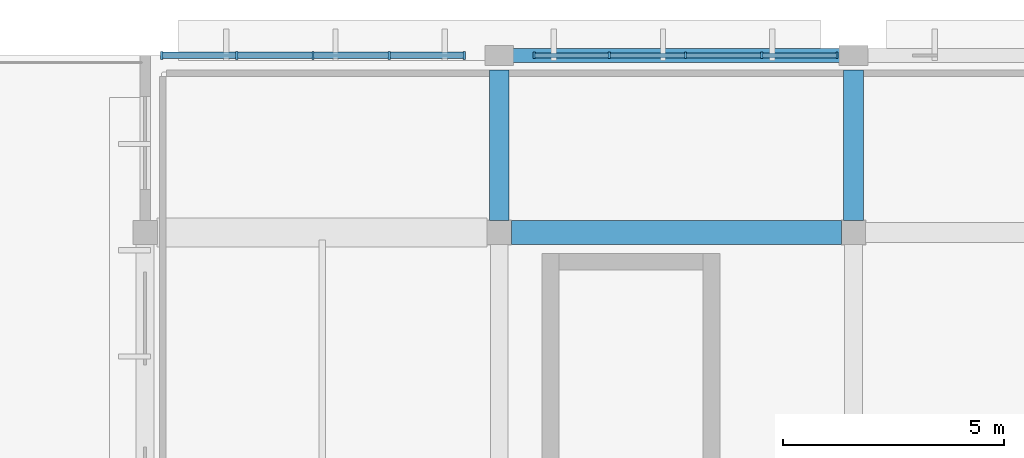
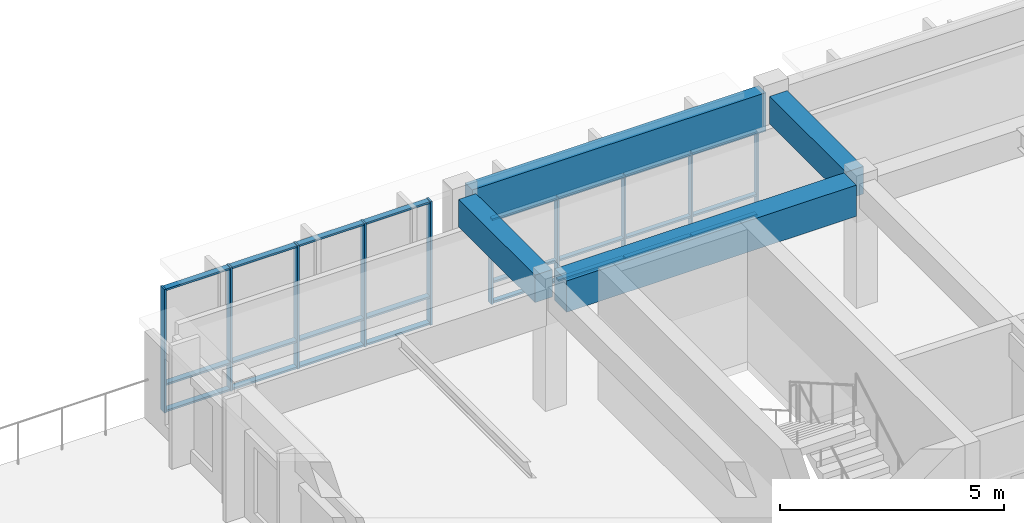
# One storey, part 18 of 155: 34 members, 4 beams, 2 elements without a shape of their own.
"""IFC4 building model written with IfcOpenShell, lengths in metres."""

from ifc_helpers import new_model, si_unit, direction, frame, origin, origin_2d, place, context, subcontext, project, spatial, rectangle, extrude, material, material_profile, profile_set, type_object, element, aggregate, save


model = new_model("IFC4")

# Units and contexts
model_context = context("Model", 3, precision=1e-05, world=origin(), true_north=direction((0.0, 1.0)))
body_context = subcontext(model_context, "Body", "Model", "MODEL_VIEW")
ifc_project = project(units=[si_unit("LENGTHUNIT", "METRE"), si_unit("AREAUNIT", "SQUARE_METRE"), si_unit("VOLUMEUNIT", "CUBIC_METRE"), si_unit("PLANEANGLEUNIT", "RADIAN"), si_unit("MASSUNIT", "GRAM", prefix="KILO")], contexts=[model_context])

# Site, building, storey
site_placement = place(None, origin())
site = spatial("IfcSite", under=ifc_project, at=site_placement, CompositionType="ELEMENT")
building_placement = place(site_placement, origin())
building = spatial("IfcBuilding", under=site, at=building_placement, Name="Larkveld Mobility Hub", CompositionType="ELEMENT")
storey_placement = place(building_placement, frame((0.0, 0.0, 8.39990234375)))
storey = spatial("IfcBuildingStorey", under=building, at=storey_placement, Name="L02", CompositionType="ELEMENT", Elevation=8.39990234375)

# Beams
ifc_material_1 = material(Name="Concrete C40/50", Category="concrete")
ifc_material_profile_1 = material_profile(ifc_material_1, rectangle(XDim=0.449951171875, YDim=0.75, at=origin_2d()), Name="RC BM 450x750")
ifc_profile_set_1 = profile_set([ifc_material_profile_1], Name="Concrete C40/50")
beam_type_1 = type_object("IfcBeamType", Name="BM-RC4575", PredefinedType="BEAM", material=ifc_profile_set_1)
for number, where, z_axis, x_axis, name in (
    (1, (24.0, 122.27490234375, 2.985107421875), (0.0, 1.0, 0.0), (-1.0, 0.0, 0.0), "Primary N-S Girder L02-0592"),
    (2, (32.0, 122.27490234375, 2.985107421875), (0.0, 1.0, 0.0), (-1.0, 0.0, 0.0), "Primary N-S Girder L02-0594"),
):
    element("IfcBeam", number, at=place(storey_placement, frame(where, z_axis=z_axis, x_axis=x_axis)), inside=storey, type_object=beam_type_1, Name=name, PredefinedType="BEAM", context=body_context, shape_type="SweptSolid", body=[
        extrude(rectangle(XDim=0.449951171875, YDim=0.75, at=origin_2d()), origin(), (0.0, 0.0, 1.0), 3.400146484375),
    ])
ifc_material_profile_2 = material_profile(ifc_material_1, rectangle(XDim=0.550048828125, YDim=0.85009765625, at=origin_2d()), Name="RC BM 550x850")
ifc_profile_set_2 = profile_set([ifc_material_profile_2], Name="Concrete C40/50")
beam_type_2 = type_object("IfcBeamType", Name="BM-RC5585", PredefinedType="BEAM", material=ifc_profile_set_2)
beam_1_placement = place(storey_placement, frame((24.27490234375, 122.0, 2.93505859375), z_axis=(1.0, 0.0, 0.0), x_axis=(0.0, 1.0, 0.0)))
element("IfcBeam", 3, at=beam_1_placement, inside=storey, type_object=beam_type_2, Name="Primary E-W Girder L02-0571", PredefinedType="BEAM", context=body_context, shape_type="SweptSolid", body=[
    extrude(rectangle(XDim=0.550048828125, YDim=0.85009765625, at=origin_2d()), origin(), (0.0, 0.0, 1.0), 7.4501953125),
])
ifc_material_2 = material(Name="Precast concrete C50/60", Category="concrete")
ifc_material_profile_3 = material_profile(ifc_material_2, rectangle(XDim=0.320068359375, YDim=1.050048828125, at=origin_2d()), Name="PC SP 320x1050")
ifc_profile_set_3 = profile_set([ifc_material_profile_3], Name="Precast concrete C50/60")
beam_type_3 = type_object("IfcBeamType", Name="BM-SP32105", PredefinedType="SPANDREL", material=ifc_profile_set_3)
beam_2_placement = place(storey_placement, frame((24.22509765625, 126.0, 2.835205078125), z_axis=(1.0, 0.0, 0.0), x_axis=(0.0, 1.0, 0.0)))
element("IfcBeam", 4, at=beam_2_placement, inside=storey, type_object=beam_type_3, Name="Primary E-W Girder L02-0580", PredefinedType="SPANDREL", context=body_context, shape_type="SweptSolid", body=[
    extrude(rectangle(XDim=0.320068359375, YDim=1.050048828125, at=origin_2d()), origin(), (0.0, 0.0, 1.0), 7.5498046875),
])

# Curtain wall, members
ifc_material_3 = material(Name="Anodised aluminium 6063-T6", Category="aluminium")
curtain_wall_type_1 = type_object("IfcCurtainWallType", Name="CW-SYS-09", PredefinedType="NOTDEFINED", material=ifc_material_3)
curtain_wall_1_placement = place(storey_placement, origin())
curtain_wall_1 = element("IfcCurtainWall", 5, at=curtain_wall_1_placement, inside=storey, type_object=curtain_wall_type_1, Name="Bicycle Hall North Curtain Wall L02 CW-081", PredefinedType="NOTDEFINED")
ifc_material_profile_4 = material_profile(ifc_material_3, rectangle(XDim=0.050048828125, YDim=0.14990234375, at=origin_2d()), Name="ALU MULL 50x150")
ifc_profile_set_4 = profile_set([ifc_material_profile_4], Name="Anodised aluminium 6063-T6")
member_type_1 = type_object("IfcMemberType", Name="CW-MUL-01", PredefinedType="MULLION", material=ifc_profile_set_4)
member_1_placement = place(storey_placement, frame((31.625, 126.0, -0.001953125), z_axis=(0.0, 0.0, 1.0), x_axis=(-1.0, 0.0, 0.0)))
member_1 = element("IfcMember", 6, at=member_1_placement, type_object=member_type_1, Name="CW09 mullion 1", PredefinedType="MULLION", context=body_context, shape_type="SweptSolid", body=[
    extrude(rectangle(XDim=0.050048828125, YDim=0.14990234375, at=origin_2d()), origin(), (0.0, 0.0, 1.0), 2.31201171875),
])
member_2_placement = place(storey_placement, frame((29.928955078125, 126.0, -0.001953125), z_axis=(0.0, 0.0, 1.0), x_axis=(-1.0, 0.0, 0.0)))
member_2 = element("IfcMember", 7, at=member_2_placement, type_object=member_type_1, Name="CW09 mullion 2", PredefinedType="MULLION", context=body_context, shape_type="SweptSolid", body=[
    extrude(rectangle(XDim=0.050048828125, YDim=0.14990234375, at=origin_2d()), origin(), (0.0, 0.0, 1.0), 2.31201171875),
])
member_3_placement = place(storey_placement, frame((28.20703125, 126.0, -0.001953125), z_axis=(0.0, 0.0, 1.0), x_axis=(-1.0, 0.0, 0.0)))
member_3 = element("IfcMember", 8, at=member_3_placement, type_object=member_type_1, Name="CW09 mullion 3", PredefinedType="MULLION", context=body_context, shape_type="SweptSolid", body=[
    extrude(rectangle(XDim=0.050048828125, YDim=0.14990234375, at=origin_2d()), origin(), (0.0, 0.0, 1.0), 2.31201171875),
])
member_4_placement = place(storey_placement, frame((26.486083984375, 126.0, -0.001953125), z_axis=(0.0, 0.0, 1.0), x_axis=(-1.0, 0.0, 0.0)))
member_4 = element("IfcMember", 9, at=member_4_placement, type_object=member_type_1, Name="CW09 mullion 4", PredefinedType="MULLION", context=body_context, shape_type="SweptSolid", body=[
    extrude(rectangle(XDim=0.050048828125, YDim=0.14990234375, at=origin_2d()), origin(), (0.0, 0.0, 1.0), 2.31201171875),
])
member_5_placement = place(storey_placement, frame((24.7900390625, 126.0, -0.001953125), z_axis=(0.0, 0.0, 1.0), x_axis=(-1.0, 0.0, 0.0)))
member_5 = element("IfcMember", 10, at=member_5_placement, type_object=member_type_1, Name="CW09 mullion 5", PredefinedType="MULLION", context=body_context, shape_type="SweptSolid", body=[
    extrude(rectangle(XDim=0.050048828125, YDim=0.14990234375, at=origin_2d()), origin(), (0.0, 0.0, 1.0), 2.31201171875),
])

curtain_wall_type_2 = type_object("IfcCurtainWallType", Name="CW-SYS-10", PredefinedType="NOTDEFINED", material=ifc_material_3)
curtain_wall_2_placement = place(storey_placement, origin())
curtain_wall_2 = element("IfcCurtainWall", 11, at=curtain_wall_2_placement, inside=storey, type_object=curtain_wall_type_2, Name="Bicycle Hall North Curtain Wall L02 CW-082", PredefinedType="NOTDEFINED")
ifc_material_profile_5 = material_profile(ifc_material_3, rectangle(XDim=0.050048828125, YDim=0.179931640625, at=origin_2d()), Name="ALU MULL 50x180")
ifc_profile_set_5 = profile_set([ifc_material_profile_5], Name="Anodised aluminium 6063-T6")
member_type_2 = type_object("IfcMemberType", Name="CW-MUL-02", PredefinedType="MULLION", material=ifc_profile_set_5)
member_6_placement = place(storey_placement, frame((23.2099609375, 126.0, -0.001953125), z_axis=(0.0, 0.0, 1.0), x_axis=(-1.0, 0.0, 0.0)))
member_6 = element("IfcMember", 12, at=member_6_placement, type_object=member_type_2, Name="CW10 mullion 1", PredefinedType="MULLION", context=body_context, shape_type="SweptSolid", body=[
    extrude(rectangle(XDim=0.050048828125, YDim=0.179931640625, at=origin_2d()), origin(), (0.0, 0.0, 1.0), 3.362060546875),
])
member_7_placement = place(storey_placement, frame((21.513916015625, 126.0, -0.001953125), z_axis=(0.0, 0.0, 1.0), x_axis=(-1.0, 0.0, 0.0)))
member_7 = element("IfcMember", 13, at=member_7_placement, type_object=member_type_2, Name="CW10 mullion 2", PredefinedType="MULLION", context=body_context, shape_type="SweptSolid", body=[
    extrude(rectangle(XDim=0.050048828125, YDim=0.179931640625, at=origin_2d()), origin(), (0.0, 0.0, 1.0), 3.362060546875),
])
member_8_placement = place(storey_placement, frame((19.7919921875, 126.0, -0.001953125), z_axis=(0.0, 0.0, 1.0), x_axis=(-1.0, 0.0, 0.0)))
member_8 = element("IfcMember", 14, at=member_8_placement, type_object=member_type_2, Name="CW10 mullion 3", PredefinedType="MULLION", context=body_context, shape_type="SweptSolid", body=[
    extrude(rectangle(XDim=0.050048828125, YDim=0.179931640625, at=origin_2d()), origin(), (0.0, 0.0, 1.0), 3.362060546875),
])
member_9_placement = place(storey_placement, frame((18.071044921875, 126.0, -0.001953125), z_axis=(0.0, 0.0, 1.0), x_axis=(-1.0, 0.0, 0.0)))
member_9 = element("IfcMember", 15, at=member_9_placement, type_object=member_type_2, Name="CW10 mullion 4", PredefinedType="MULLION", context=body_context, shape_type="SweptSolid", body=[
    extrude(rectangle(XDim=0.050048828125, YDim=0.179931640625, at=origin_2d()), origin(), (0.0, 0.0, 1.0), 3.362060546875),
])
member_10_placement = place(storey_placement, frame((16.375, 126.0, -0.001953125), z_axis=(0.0, 0.0, 1.0), x_axis=(-1.0, 0.0, 0.0)))
member_10 = element("IfcMember", 16, at=member_10_placement, type_object=member_type_2, Name="CW10 mullion 5", PredefinedType="MULLION", context=body_context, shape_type="SweptSolid", body=[
    extrude(rectangle(XDim=0.050048828125, YDim=0.179931640625, at=origin_2d()), origin(), (0.0, 0.0, 1.0), 3.362060546875),
])

# Member
ifc_material_profile_6 = material_profile(ifc_material_3, rectangle(XDim=0.1201171875, YDim=0.050048828125, at=origin_2d()), Name="ALU TRAN 50x120")
ifc_profile_set_6 = profile_set([ifc_material_profile_6], Name="Anodised aluminium 6063-T6")
member_type_3 = type_object("IfcMemberType", Name="CW-TRN-01", PredefinedType="USERDEFINED", material=ifc_profile_set_6)
member_11_placement = place(storey_placement, frame((31.614990234375, 126.0, 0.030029296875), z_axis=(-1.0, 0.0, 0.0), x_axis=(0.0, -1.0, 0.0)))
member_11 = element("IfcMember", 17, at=member_11_placement, type_object=member_type_3, Name="CW09 transom 1.1", ObjectType="TRANSOM", PredefinedType="USERDEFINED", context=body_context, shape_type="SweptSolid", body=[
    extrude(rectangle(XDim=0.1201171875, YDim=0.050048828125, at=origin_2d()), origin(), (0.0, 0.0, 1.0), 1.6708984375),
])

member_12_placement = place(storey_placement, frame((31.614990234375, 126.0, 0.5771484375), z_axis=(-1.0, 0.0, 0.0), x_axis=(0.0, -1.0, 0.0)))
member_12 = element("IfcMember", 18, at=member_12_placement, type_object=member_type_3, Name="CW09 transom 1.2", ObjectType="TRANSOM", PredefinedType="USERDEFINED", context=body_context, shape_type="SweptSolid", body=[
    extrude(rectangle(XDim=0.1201171875, YDim=0.050048828125, at=origin_2d()), origin(), (0.0, 0.0, 1.0), 1.6708984375),
])

member_13_placement = place(storey_placement, frame((31.614990234375, 126.0, 2.278076171875), z_axis=(-1.0, 0.0, 0.0), x_axis=(0.0, -1.0, 0.0)))
member_13 = element("IfcMember", 19, at=member_13_placement, type_object=member_type_3, Name="CW09 transom 1.3", ObjectType="TRANSOM", PredefinedType="USERDEFINED", context=body_context, shape_type="SweptSolid", body=[
    extrude(rectangle(XDim=0.1201171875, YDim=0.050048828125, at=origin_2d()), origin(), (0.0, 0.0, 1.0), 1.6708984375),
])

member_14_placement = place(storey_placement, frame((29.9140625, 126.0, 0.030029296875), z_axis=(-1.0, 0.0, 0.0), x_axis=(0.0, -1.0, 0.0)))
member_14 = element("IfcMember", 20, at=member_14_placement, type_object=member_type_3, Name="CW09 transom 2.1", ObjectType="TRANSOM", PredefinedType="USERDEFINED", context=body_context, shape_type="SweptSolid", body=[
    extrude(rectangle(XDim=0.1201171875, YDim=0.050048828125, at=origin_2d()), origin(), (0.0, 0.0, 1.0), 1.692138671875),
])

member_15_placement = place(storey_placement, frame((29.9140625, 126.0, 0.5771484375), z_axis=(-1.0, 0.0, 0.0), x_axis=(0.0, -1.0, 0.0)))
member_15 = element("IfcMember", 21, at=member_15_placement, type_object=member_type_3, Name="CW09 transom 2.2", ObjectType="TRANSOM", PredefinedType="USERDEFINED", context=body_context, shape_type="SweptSolid", body=[
    extrude(rectangle(XDim=0.1201171875, YDim=0.050048828125, at=origin_2d()), origin(), (0.0, 0.0, 1.0), 1.692138671875),
])

member_16_placement = place(storey_placement, frame((29.9140625, 126.0, 2.278076171875), z_axis=(-1.0, 0.0, 0.0), x_axis=(0.0, -1.0, 0.0)))
member_16 = element("IfcMember", 22, at=member_16_placement, type_object=member_type_3, Name="CW09 transom 2.3", ObjectType="TRANSOM", PredefinedType="USERDEFINED", context=body_context, shape_type="SweptSolid", body=[
    extrude(rectangle(XDim=0.1201171875, YDim=0.050048828125, at=origin_2d()), origin(), (0.0, 0.0, 1.0), 1.692138671875),
])

member_17_placement = place(storey_placement, frame((28.19189453125, 126.0, 0.030029296875), z_axis=(-1.0, 0.0, 0.0), x_axis=(0.0, -1.0, 0.0)))
member_17 = element("IfcMember", 23, at=member_17_placement, type_object=member_type_3, Name="CW09 transom 3.1", ObjectType="TRANSOM", PredefinedType="USERDEFINED", context=body_context, shape_type="SweptSolid", body=[
    extrude(rectangle(XDim=0.1201171875, YDim=0.050048828125, at=origin_2d()), origin(), (0.0, 0.0, 1.0), 1.69091796875),
])

member_18_placement = place(storey_placement, frame((28.19189453125, 126.0, 0.5771484375), z_axis=(-1.0, 0.0, 0.0), x_axis=(0.0, -1.0, 0.0)))
member_18 = element("IfcMember", 24, at=member_18_placement, type_object=member_type_3, Name="CW09 transom 3.2", ObjectType="TRANSOM", PredefinedType="USERDEFINED", context=body_context, shape_type="SweptSolid", body=[
    extrude(rectangle(XDim=0.1201171875, YDim=0.050048828125, at=origin_2d()), origin(), (0.0, 0.0, 1.0), 1.69091796875),
])

member_19_placement = place(storey_placement, frame((28.19189453125, 126.0, 2.278076171875), z_axis=(-1.0, 0.0, 0.0), x_axis=(0.0, -1.0, 0.0)))
member_19 = element("IfcMember", 25, at=member_19_placement, type_object=member_type_3, Name="CW09 transom 3.3", ObjectType="TRANSOM", PredefinedType="USERDEFINED", context=body_context, shape_type="SweptSolid", body=[
    extrude(rectangle(XDim=0.1201171875, YDim=0.050048828125, at=origin_2d()), origin(), (0.0, 0.0, 1.0), 1.69091796875),
])

member_20_placement = place(storey_placement, frame((26.470947265625, 126.0, 0.030029296875), z_axis=(-1.0, 0.0, 0.0), x_axis=(0.0, -1.0, 0.0)))
member_20 = element("IfcMember", 26, at=member_20_placement, type_object=member_type_3, Name="CW09 transom 4.1", ObjectType="TRANSOM", PredefinedType="USERDEFINED", context=body_context, shape_type="SweptSolid", body=[
    extrude(rectangle(XDim=0.1201171875, YDim=0.050048828125, at=origin_2d()), origin(), (0.0, 0.0, 1.0), 1.6708984375),
])

member_21_placement = place(storey_placement, frame((26.470947265625, 126.0, 0.5771484375), z_axis=(-1.0, 0.0, 0.0), x_axis=(0.0, -1.0, 0.0)))
member_21 = element("IfcMember", 27, at=member_21_placement, type_object=member_type_3, Name="CW09 transom 4.2", ObjectType="TRANSOM", PredefinedType="USERDEFINED", context=body_context, shape_type="SweptSolid", body=[
    extrude(rectangle(XDim=0.1201171875, YDim=0.050048828125, at=origin_2d()), origin(), (0.0, 0.0, 1.0), 1.6708984375),
])

member_22_placement = place(storey_placement, frame((26.470947265625, 126.0, 2.278076171875), z_axis=(-1.0, 0.0, 0.0), x_axis=(0.0, -1.0, 0.0)))
member_22 = element("IfcMember", 28, at=member_22_placement, type_object=member_type_3, Name="CW09 transom 4.3", ObjectType="TRANSOM", PredefinedType="USERDEFINED", context=body_context, shape_type="SweptSolid", body=[
    extrude(rectangle(XDim=0.1201171875, YDim=0.050048828125, at=origin_2d()), origin(), (0.0, 0.0, 1.0), 1.6708984375),
])

aggregate(curtain_wall_1, [member_1, member_2, member_3, member_4, member_5, member_11, member_12, member_13, member_14, member_15, member_16, member_17, member_18, member_19, member_20, member_21, member_22])

ifc_material_profile_7 = material_profile(ifc_material_3, rectangle(XDim=0.14990234375, YDim=0.050048828125, at=origin_2d()), Name="ALU TRAN 50x150")
ifc_profile_set_7 = profile_set([ifc_material_profile_7], Name="Anodised aluminium 6063-T6")
member_type_4 = type_object("IfcMemberType", Name="CW-TRN-02", PredefinedType="USERDEFINED", material=ifc_profile_set_7)
member_23_placement = place(storey_placement, frame((23.199951171875, 126.0, 0.030029296875), z_axis=(-1.0, 0.0, 0.0), x_axis=(0.0, -1.0, 0.0)))
member_23 = element("IfcMember", 29, at=member_23_placement, type_object=member_type_4, Name="CW10 transom 1.1", ObjectType="TRANSOM", PredefinedType="USERDEFINED", context=body_context, shape_type="SweptSolid", body=[
    extrude(rectangle(XDim=0.14990234375, YDim=0.050048828125, at=origin_2d()), origin(), (0.0, 0.0, 1.0), 1.6708984375),
])

member_24_placement = place(storey_placement, frame((23.199951171875, 126.0, 0.75), z_axis=(-1.0, 0.0, 0.0), x_axis=(0.0, -1.0, 0.0)))
member_24 = element("IfcMember", 30, at=member_24_placement, type_object=member_type_4, Name="CW10 transom 1.2", ObjectType="TRANSOM", PredefinedType="USERDEFINED", context=body_context, shape_type="SweptSolid", body=[
    extrude(rectangle(XDim=0.14990234375, YDim=0.050048828125, at=origin_2d()), origin(), (0.0, 0.0, 1.0), 1.6708984375),
])

member_25_placement = place(storey_placement, frame((23.199951171875, 126.0, 3.328125), z_axis=(-1.0, 0.0, 0.0), x_axis=(0.0, -1.0, 0.0)))
member_25 = element("IfcMember", 31, at=member_25_placement, type_object=member_type_4, Name="CW10 transom 1.3", ObjectType="TRANSOM", PredefinedType="USERDEFINED", context=body_context, shape_type="SweptSolid", body=[
    extrude(rectangle(XDim=0.14990234375, YDim=0.050048828125, at=origin_2d()), origin(), (0.0, 0.0, 1.0), 1.6708984375),
])

member_26_placement = place(storey_placement, frame((21.4990234375, 126.0, 0.030029296875), z_axis=(-1.0, 0.0, 0.0), x_axis=(0.0, -1.0, 0.0)))
member_26 = element("IfcMember", 32, at=member_26_placement, type_object=member_type_4, Name="CW10 transom 2.1", ObjectType="TRANSOM", PredefinedType="USERDEFINED", context=body_context, shape_type="SweptSolid", body=[
    extrude(rectangle(XDim=0.14990234375, YDim=0.050048828125, at=origin_2d()), origin(), (0.0, 0.0, 1.0), 1.692138671875),
])

member_27_placement = place(storey_placement, frame((21.4990234375, 126.0, 0.75), z_axis=(-1.0, 0.0, 0.0), x_axis=(0.0, -1.0, 0.0)))
member_27 = element("IfcMember", 33, at=member_27_placement, type_object=member_type_4, Name="CW10 transom 2.2", ObjectType="TRANSOM", PredefinedType="USERDEFINED", context=body_context, shape_type="SweptSolid", body=[
    extrude(rectangle(XDim=0.14990234375, YDim=0.050048828125, at=origin_2d()), origin(), (0.0, 0.0, 1.0), 1.692138671875),
])

member_28_placement = place(storey_placement, frame((21.4990234375, 126.0, 3.328125), z_axis=(-1.0, 0.0, 0.0), x_axis=(0.0, -1.0, 0.0)))
member_28 = element("IfcMember", 34, at=member_28_placement, type_object=member_type_4, Name="CW10 transom 2.3", ObjectType="TRANSOM", PredefinedType="USERDEFINED", context=body_context, shape_type="SweptSolid", body=[
    extrude(rectangle(XDim=0.14990234375, YDim=0.050048828125, at=origin_2d()), origin(), (0.0, 0.0, 1.0), 1.692138671875),
])

member_29_placement = place(storey_placement, frame((19.777099609375, 126.0, 0.030029296875), z_axis=(-1.0, 0.0, 0.0), x_axis=(0.0, -1.0, 0.0)))
member_29 = element("IfcMember", 35, at=member_29_placement, type_object=member_type_4, Name="CW10 transom 3.1", ObjectType="TRANSOM", PredefinedType="USERDEFINED", context=body_context, shape_type="SweptSolid", body=[
    extrude(rectangle(XDim=0.14990234375, YDim=0.050048828125, at=origin_2d()), origin(), (0.0, 0.0, 1.0), 1.691162109375),
])

member_30_placement = place(storey_placement, frame((19.777099609375, 126.0, 0.75), z_axis=(-1.0, 0.0, 0.0), x_axis=(0.0, -1.0, 0.0)))
member_30 = element("IfcMember", 36, at=member_30_placement, type_object=member_type_4, Name="CW10 transom 3.2", ObjectType="TRANSOM", PredefinedType="USERDEFINED", context=body_context, shape_type="SweptSolid", body=[
    extrude(rectangle(XDim=0.14990234375, YDim=0.050048828125, at=origin_2d()), origin(), (0.0, 0.0, 1.0), 1.691162109375),
])

member_31_placement = place(storey_placement, frame((19.777099609375, 126.0, 3.328125), z_axis=(-1.0, 0.0, 0.0), x_axis=(0.0, -1.0, 0.0)))
member_31 = element("IfcMember", 37, at=member_31_placement, type_object=member_type_4, Name="CW10 transom 3.3", ObjectType="TRANSOM", PredefinedType="USERDEFINED", context=body_context, shape_type="SweptSolid", body=[
    extrude(rectangle(XDim=0.14990234375, YDim=0.050048828125, at=origin_2d()), origin(), (0.0, 0.0, 1.0), 1.691162109375),
])

member_32_placement = place(storey_placement, frame((18.055908203125, 126.0, 0.030029296875), z_axis=(-1.0, 0.0, 0.0), x_axis=(0.0, -1.0, 0.0)))
member_32 = element("IfcMember", 38, at=member_32_placement, type_object=member_type_4, Name="CW10 transom 4.1", ObjectType="TRANSOM", PredefinedType="USERDEFINED", context=body_context, shape_type="SweptSolid", body=[
    extrude(rectangle(XDim=0.14990234375, YDim=0.050048828125, at=origin_2d()), origin(), (0.0, 0.0, 1.0), 1.6708984375),
])

member_33_placement = place(storey_placement, frame((18.055908203125, 126.0, 0.75), z_axis=(-1.0, 0.0, 0.0), x_axis=(0.0, -1.0, 0.0)))
member_33 = element("IfcMember", 39, at=member_33_placement, type_object=member_type_4, Name="CW10 transom 4.2", ObjectType="TRANSOM", PredefinedType="USERDEFINED", context=body_context, shape_type="SweptSolid", body=[
    extrude(rectangle(XDim=0.14990234375, YDim=0.050048828125, at=origin_2d()), origin(), (0.0, 0.0, 1.0), 1.6708984375),
])

member_34_placement = place(storey_placement, frame((18.055908203125, 126.0, 3.328125), z_axis=(-1.0, 0.0, 0.0), x_axis=(0.0, -1.0, 0.0)))
member_34 = element("IfcMember", 40, at=member_34_placement, type_object=member_type_4, Name="CW10 transom 4.3", ObjectType="TRANSOM", PredefinedType="USERDEFINED", context=body_context, shape_type="SweptSolid", body=[
    extrude(rectangle(XDim=0.14990234375, YDim=0.050048828125, at=origin_2d()), origin(), (0.0, 0.0, 1.0), 1.6708984375),
])

aggregate(curtain_wall_2, [member_6, member_7, member_8, member_9, member_10, member_23, member_24, member_25, member_26, member_27, member_28, member_29, member_30, member_31, member_32, member_33, member_34])

save(model, "model.ifc")
